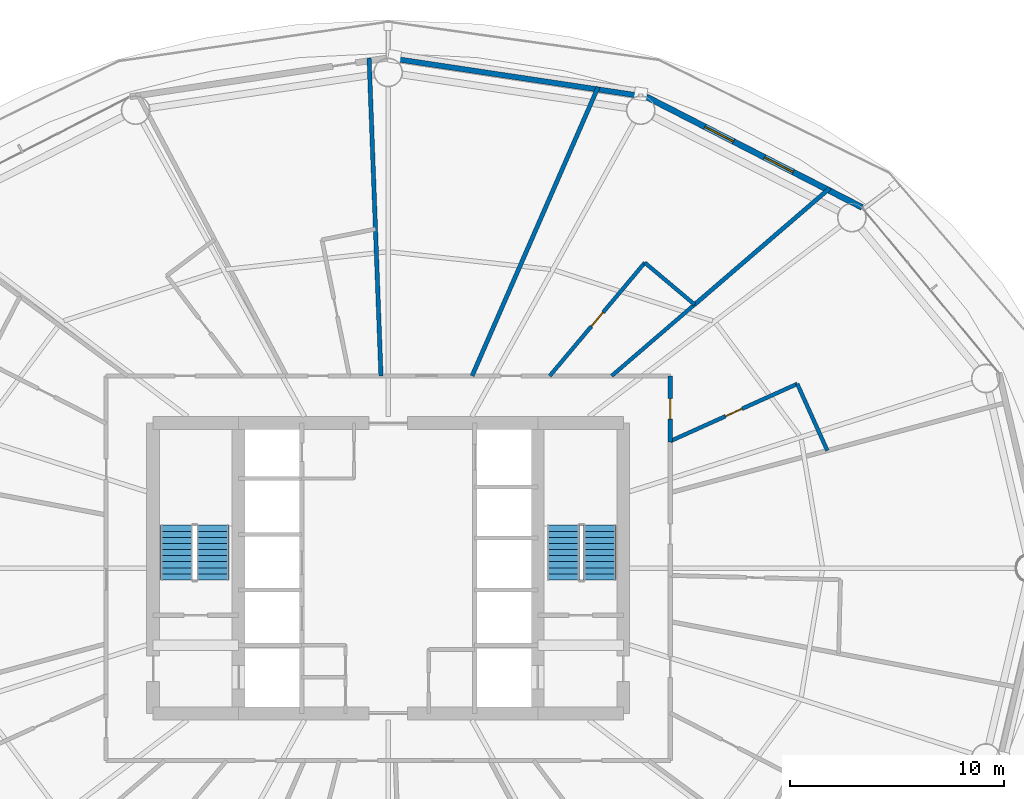
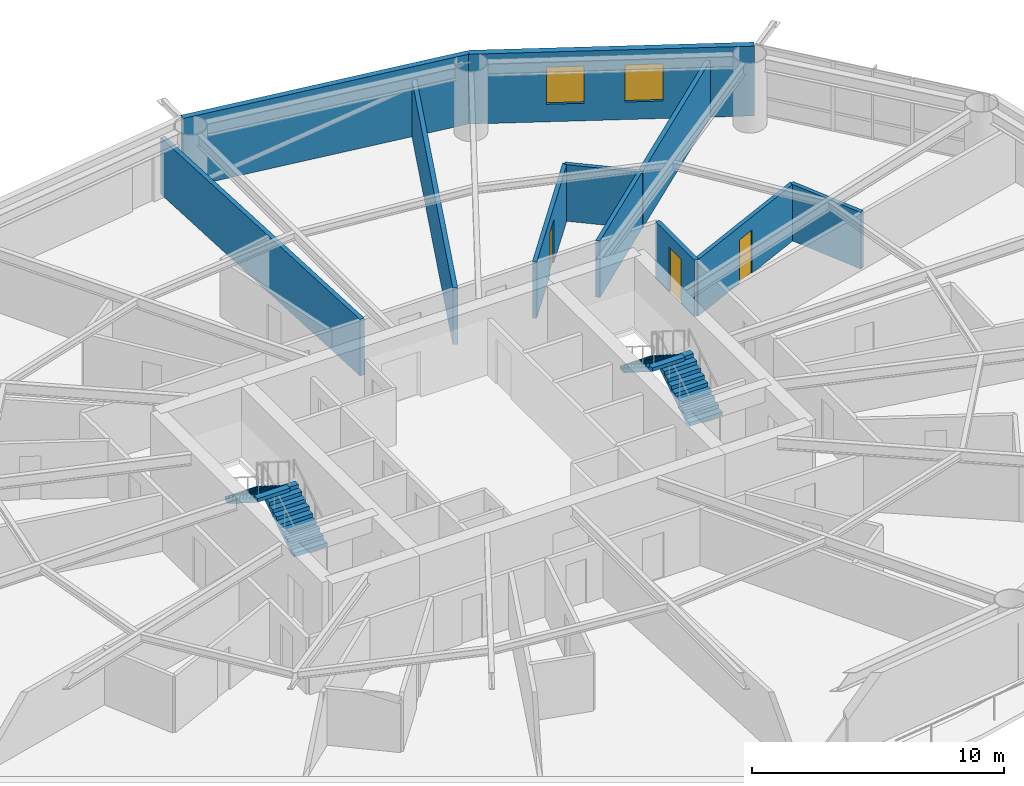
# One storey, part 23 of 26: 11 walls, 4 stair flights, 3 doors, 2 windows, 5 openings, 2 elements without a shape of their own.
"""IFC4 building model written with IfcOpenShell, lengths in metres."""

from ifc_helpers import new_model, si_unit, direction, frame, frame_2d, origin, place, context, subcontext, project, spatial, polyline, rectangle, outline, extrude, material, layer, layer_set, type_object, element, fill, aggregate, save


model = new_model("IFC4")

# Units and contexts
model_context = context("Model", 3, precision=1e-05, world=origin(), true_north=direction((0.0, 1.0)))
body_context = subcontext(model_context, "Body", "Model", "MODEL_VIEW")
ifc_project = project(units=[si_unit("LENGTHUNIT", "METRE"), si_unit("AREAUNIT", "SQUARE_METRE"), si_unit("VOLUMEUNIT", "CUBIC_METRE"), si_unit("PLANEANGLEUNIT", "RADIAN"), si_unit("MASSUNIT", "GRAM", prefix="KILO")], contexts=[model_context])

# Site, building, storey
site_placement = place(None, origin())
site = spatial("IfcSite", under=ifc_project, at=site_placement, CompositionType="ELEMENT")
building_placement = place(site_placement, origin())
building = spatial("IfcBuilding", under=site, at=building_placement, Name="Sarneth Arch Tower", CompositionType="ELEMENT")
storey_placement = place(building_placement, frame((0.0, 0.0, 42.60009765625)))
storey = spatial("IfcBuildingStorey", under=building, at=storey_placement, Name="L09", CompositionType="ELEMENT", Elevation=42.60009765625)

# Wall, opening, door
ifc_material_1 = material(Name="Double steel-stud corridor fire wall", Category="steel")
ifc_layer_1 = layer(ifc_material_1, 0.18994140625)
ifc_layer_set_1 = layer_set([ifc_layer_1], Name="Double steel-stud corridor fire wall")
wall_type_1 = type_object("IfcWallType", Name="WALL-CORR-190", PredefinedType="PARTITIONING", material=ifc_layer_set_1)
wall_1_placement = place(storey_placement, frame((61.199951171875, 51.0, 0.0), z_axis=(0.0, 0.0, 1.0), x_axis=(0.0, -1.0, 0.0)))
wall_1 = element("IfcWall", 1, at=wall_1_placement, inside=storey, type_object=wall_type_1, Name="L09 Interior partition W-L09-TP-002", PredefinedType="PARTITIONING", context=body_context, shape_type="SweptSolid", body=[
    extrude(rectangle(XDim=3.0869140625, YDim=0.18994140625, at=frame_2d((1.54345703125, 0.0))), origin(), (0.0, 0.0, 1.0), 2.739990234375),
])
opening_1_placement = place(wall_1_placement, frame((1.068603515625, 0.0, 0.0)))
opening_1 = element("IfcOpeningElement", 2, at=opening_1_placement, cuts=wall_1, Name="Opening FD-09", PredefinedType="OPENING", context=body_context, shape_type="SweptSolid", body=[
    extrude(rectangle(XDim=0.949951171875, YDim=2.14990234375, at=frame_2d((0.47509765625, 1.074951171875))), frame((0.0, 0.10498046875, 0.0), z_axis=(0.0, -1.0, 0.0), x_axis=(1.0, 0.0, 0.0)), (0.0, 0.0, 1.0), 0.2099609375),
])
ifc_material_2 = material(Name="Hardwood timber hotel entrance fire door", Category="wood")
door_type_1 = type_object("IfcDoorType", Name="DR-FD60-950", OperationType="SINGLE_SWING_RIGHT", PredefinedType="DOOR", material=ifc_material_2)
door_1_placement = place(opening_1_placement, origin())
door_1 = element("IfcDoor", 3, at=door_1_placement, inside=storey, type_object=door_type_1, Name="L09 Interior door DR-L09-KEY-01", OperationType="SINGLE_SWING_LEFT", OverallHeight=2.14990234375, OverallWidth=0.949951171875, PredefinedType="DOOR", context=body_context, shape_type="SweptSolid", body=[
    extrude(rectangle(XDim=0.949951171875, YDim=2.14990234375, at=frame_2d((0.47509765625, 1.074951171875))), frame((0.0, 0.02490234375, 0.0), z_axis=(0.0, -1.0, 0.0), x_axis=(1.0, 0.0, 0.0)), (0.0, 0.0, 1.0), 0.050048828125),
])
fill(opening_1, door_1)

# Wall
ifc_material_3 = material(Name="Extruded terracotta rainscreen on Concrete C40/50 backing", Category="masonry")
ifc_layer_2 = layer(ifc_material_3, 0.25)
ifc_layer_set_2 = layer_set([ifc_layer_2], Name="Extruded terracotta rainscreen on Concrete C40/50 backing")
wall_type_2 = type_object("IfcWallType", Name="WALL-EXT-SPAND-250", PredefinedType="SOLIDWALL", material=ifc_layer_set_2)
wall_2_placement = place(storey_placement, frame((60.077880859375, 64.062255859375, 0.0), z_axis=(0.0, 0.0, 1.0), x_axis=(-0.988864835849, 0.148816452121, 0.0)))
element("IfcWall", 4, at=wall_2_placement, inside=storey, type_object=wall_type_2, Name="L09 Terracotta perimeter wall 04", PredefinedType="SOLIDWALL", context=body_context, shape_type="SweptSolid", body=[
    extrude(rectangle(XDim=12.2138671875, YDim=0.25, at=frame_2d((6.10693359375, 0.0))), origin(), (0.0, 0.0, 1.0), 3.3798828125),
])

# Wall, openings, windows
ifc_material_4 = material(Name="Extruded terracotta rainscreen on Concrete C40/50 backing", Category="masonry")
ifc_layer_3 = layer(ifc_material_4, 0.280029296875)
ifc_layer_set_3 = layer_set([ifc_layer_3], Name="Extruded terracotta rainscreen on Concrete C40/50 backing")
wall_type_3 = type_object("IfcWallType", Name="WALL-EXT-TERRA-280", PredefinedType="SOLIDWALL", material=ifc_layer_set_3)
wall_3_placement = place(storey_placement, frame((70.174072265625, 58.8857421875, 0.0), z_axis=(0.0, 0.0, 1.0), x_axis=(-0.889853976658, 0.456245438581, 0.0)))
wall_3 = element("IfcWall", 5, at=wall_3_placement, inside=storey, type_object=wall_type_3, Name="L09 Terracotta perimeter wall 03", PredefinedType="SOLIDWALL", context=body_context, shape_type="SweptSolid", body=[
    extrude(rectangle(XDim=11.345947265625, YDim=0.280029296875, at=frame_2d((5.6728515625, 0.0))), origin(), (0.0, 0.0, 1.0), 3.3798828125),
])
opening_2_placement = place(wall_3_placement, frame((3.6318359375, 0.0, 0.85009765625)))
opening_2 = element("IfcOpeningElement", 6, at=opening_2_placement, cuts=wall_3, Name="Opening W-07", PredefinedType="OPENING", context=body_context, shape_type="SweptSolid", body=[
    extrude(rectangle(XDim=1.5, YDim=1.800048828125, at=frame_2d((0.75, 0.89990234375))), frame((0.0, 0.14990234375, 0.0), z_axis=(0.0, -1.0, 0.0), x_axis=(1.0, 0.0, 0.0)), (0.0, 0.0, 1.0), 0.300048828125),
])
opening_3_placement = place(wall_3_placement, frame((6.76123046875, 0.0, 0.85009765625)))
opening_3 = element("IfcOpeningElement", 7, at=opening_3_placement, cuts=wall_3, Name="Opening W-07", PredefinedType="OPENING", context=body_context, shape_type="SweptSolid", body=[
    extrude(rectangle(XDim=1.5, YDim=1.800048828125, at=frame_2d((0.75, 0.89990234375))), frame((0.0, 0.14990234375, 0.0), z_axis=(0.0, -1.0, 0.0), x_axis=(1.0, 0.0, 0.0)), (0.0, 0.0, 1.0), 0.300048828125),
])
ifc_material_5 = material(Name="Thermally broken Aluminium 6063-T6 and low-e laminated IGU", Category="aluminium")
window_type = type_object("IfcWindowType", Name="WIN-TWR-1500x1800", PartitioningType="SINGLE_PANEL", PredefinedType="WINDOW", material=ifc_material_5)
window_1_placement = place(opening_2_placement, origin())
window_1 = element("IfcWindow", 8, at=window_1_placement, inside=storey, type_object=window_type, Name="L09 Exterior window 03A", OverallHeight=1.800048828125, OverallWidth=1.5, PartitioningType="SINGLE_PANEL", PredefinedType="WINDOW", context=body_context, shape_type="SweptSolid", body=[
    extrude(rectangle(XDim=1.5, YDim=1.800048828125, at=frame_2d((0.75, 0.89990234375))), frame((0.0, 0.030029296875, 0.0), z_axis=(0.0, -1.0, 0.0), x_axis=(1.0, 0.0, 0.0)), (0.0, 0.0, 1.0), 0.06005859375),
])
fill(opening_2, window_1)
window_2_placement = place(opening_3_placement, origin())
window_2 = element("IfcWindow", 9, at=window_2_placement, inside=storey, type_object=window_type, Name="L09 Exterior window 03B", OverallHeight=1.800048828125, OverallWidth=1.5, PartitioningType="SINGLE_PANEL", PredefinedType="WINDOW", context=body_context, shape_type="SweptSolid", body=[
    extrude(rectangle(XDim=1.5, YDim=1.800048828125, at=frame_2d((0.75, 0.89990234375))), frame((0.0, 0.030029296875, 0.0), z_axis=(0.0, -1.0, 0.0), x_axis=(1.0, 0.0, 0.0)), (0.0, 0.0, 1.0), 0.06005859375),
])
fill(opening_3, window_2)

# Wall, opening, door
ifc_material_6 = material(Name="Moisture-resistant plumbing chase wall", Category="gypsum")
ifc_layer_4 = layer(ifc_material_6, 0.179931640625)
ifc_layer_set_4 = layer_set([ifc_layer_4], Name="Moisture-resistant plumbing chase wall")
wall_type_4 = type_object("IfcWallType", Name="WALL-PLUMB-180", PredefinedType="PLUMBINGWALL", material=ifc_layer_set_4)
wall_4_placement = place(storey_placement, frame((55.5595703125, 51.0, 0.0), z_axis=(0.0, 0.0, 1.0), x_axis=(0.643154836645, 0.765736153058, 0.0)))
wall_4 = element("IfcWall", 10, at=wall_4_placement, inside=storey, type_object=wall_type_4, Name="L09 Interior partition W-L09-TP-036", PredefinedType="PLUMBINGWALL", context=body_context, shape_type="SweptSolid", body=[
    extrude(rectangle(XDim=6.9169921875, YDim=0.179931640625, at=frame_2d((3.45849609375, 0.0))), origin(), (0.0, 0.0, 1.0), 2.739990234375),
])
opening_4_placement = place(wall_4_placement, frame((3.03369140625, 0.0, 0.0)))
opening_4 = element("IfcOpeningElement", 11, at=opening_4_placement, cuts=wall_4, Name="Opening ID-02", PredefinedType="OPENING", context=body_context, shape_type="SweptSolid", body=[
    extrude(rectangle(XDim=0.85009765625, YDim=2.10009765625, at=frame_2d((0.425048828125, 1.050048828125))), frame((0.0, 0.099853515625, 0.0), z_axis=(0.0, -1.0, 0.0), x_axis=(1.0, 0.0, 0.0)), (0.0, 0.0, 1.0), 0.199951171875),
])
ifc_material_7 = material(Name="Moisture-resistant bathroom timber door", Category="wood")
door_type_2 = type_object("IfcDoorType", Name="DR-INT-850", OperationType="SINGLE_SWING_RIGHT", PredefinedType="DOOR", material=ifc_material_7)
door_2_placement = place(opening_4_placement, origin())
door_2 = element("IfcDoor", 12, at=door_2_placement, inside=storey, type_object=door_type_2, Name="L09 Interior door DR-L09-ENS-02", OperationType="SINGLE_SWING_RIGHT", OverallHeight=2.10009765625, OverallWidth=0.85009765625, PredefinedType="DOOR", context=body_context, shape_type="SweptSolid", body=[
    extrude(rectangle(XDim=0.85009765625, YDim=2.10009765625, at=frame_2d((0.425048828125, 1.050048828125))), frame((0.0, 0.02490234375, 0.0), z_axis=(0.0, -1.0, 0.0), x_axis=(1.0, 0.0, 0.0)), (0.0, 0.0, 1.0), 0.050048828125),
])
fill(opening_4, door_2)

wall_5_placement = place(storey_placement, frame((67.14306640625, 50.626220703125, 0.0), z_axis=(0.0, 0.0, 1.0), x_axis=(-0.911702033518, -0.410852044025, 0.0)))
wall_5 = element("IfcWall", 13, at=wall_5_placement, inside=storey, type_object=wall_type_4, Name="L09 Interior partition W-L09-TP-031", PredefinedType="PLUMBINGWALL", context=body_context, shape_type="SweptSolid", body=[
    extrude(rectangle(XDim=6.518798828125, YDim=0.179931640625, at=frame_2d((3.25927734375, 0.0))), origin(), (0.0, 0.0, 1.0), 2.739990234375),
])
opening_5_placement = place(wall_5_placement, frame((2.834228515625, 0.0, 0.0)))
opening_5 = element("IfcOpeningElement", 14, at=opening_5_placement, cuts=wall_5, Name="Opening ID-02", PredefinedType="OPENING", context=body_context, shape_type="SweptSolid", body=[
    extrude(rectangle(XDim=0.85009765625, YDim=2.10009765625, at=frame_2d((0.425048828125, 1.050048828125))), frame((0.0, 0.099853515625, 0.0), z_axis=(0.0, -1.0, 0.0), x_axis=(1.0, 0.0, 0.0)), (0.0, 0.0, 1.0), 0.199951171875),
])
door_3_placement = place(opening_5_placement, origin())
door_3 = element("IfcDoor", 15, at=door_3_placement, inside=storey, type_object=door_type_2, Name="L09 Interior door DR-L09-ENS-01", OperationType="SINGLE_SWING_RIGHT", OverallHeight=2.10009765625, OverallWidth=0.85009765625, PredefinedType="DOOR", context=body_context, shape_type="SweptSolid", body=[
    extrude(rectangle(XDim=0.85009765625, YDim=2.10009765625, at=frame_2d((0.425048828125, 1.050048828125))), frame((0.0, 0.02490234375, 0.0), z_axis=(0.0, -1.0, 0.0), x_axis=(1.0, 0.0, 0.0)), (0.0, 0.0, 1.0), 0.050048828125),
])
fill(opening_5, door_3)

# Walls
wall_6_placement = place(storey_placement, frame((62.338623046875, 54.33935546875, 0.0), z_axis=(0.0, 0.0, 1.0), x_axis=(-0.757969199921, -0.652290343307, 0.0)))
element("IfcWall", 16, at=wall_6_placement, inside=storey, type_object=wall_type_4, Name="L09 Interior partition W-L09-TP-033", PredefinedType="PLUMBINGWALL", context=body_context, shape_type="SweptSolid", body=[
    extrude(rectangle(XDim=5.119384765625, YDim=0.179931640625, at=frame_2d((2.5595703125, 0.0))), origin(), (0.0, 0.0, 1.0), 2.739990234375),
])
wall_7_placement = place(storey_placement, frame((68.549072265625, 47.506103515625, 0.0), z_axis=(0.0, 0.0, 1.0), x_axis=(-0.410839223928, 0.911707810695, 0.0)))
element("IfcWall", 17, at=wall_7_placement, inside=storey, type_object=wall_type_4, Name="L09 Interior partition W-L09-TP-030", PredefinedType="PLUMBINGWALL", context=body_context, shape_type="SweptSolid", body=[
    extrude(rectangle(XDim=3.42236328125, YDim=0.179931640625, at=frame_2d((1.711181640625, 0.0))), origin(), (0.0, 0.0, 1.0), 2.739990234375),
])
wall_8_placement = place(storey_placement, frame((60.00830078125, 56.296630859375, 0.0), z_axis=(0.0, 0.0, 1.0), x_axis=(0.765736471754, -0.643154457208, 0.0)))
element("IfcWall", 18, at=wall_8_placement, inside=storey, type_object=wall_type_4, Name="L09 Interior partition W-L09-TP-037", PredefinedType="PLUMBINGWALL", context=body_context, shape_type="SweptSolid", body=[
    extrude(rectangle(XDim=3.043212890625, YDim=0.179931640625, at=frame_2d((1.521484375, 0.0))), origin(), (0.0, 0.0, 1.0), 2.739990234375),
])
ifc_material_8 = material(Name="Double steel-stud acoustic drywall", Category="steel")
ifc_layer_5 = layer(ifc_material_8, 0.199951171875)
ifc_layer_set_5 = layer_set([ifc_layer_5], Name="Double steel-stud acoustic drywall")
wall_type_5 = type_object("IfcWallType", Name="WALL-UNIT-200", PredefinedType="PARTITIONING", material=ifc_layer_set_5)
wall_9_placement = place(storey_placement, frame((57.82470703125, 64.5185546875, 0.0), z_axis=(0.0, 0.0, 1.0), x_axis=(-0.399884283786, -0.916565632991, 0.0)))
element("IfcWall", 19, at=wall_9_placement, inside=storey, type_object=wall_type_5, Name="L09 Interior partition W-L09-TP-038", PredefinedType="PARTITIONING", context=body_context, shape_type="SweptSolid", body=[
    extrude(rectangle(XDim=14.7490234375, YDim=0.199951171875, at=frame_2d((7.37451171875, 0.0))), origin(), (0.0, 0.0, 1.0), 2.739990234375),
])
wall_10_placement = place(storey_placement, frame((68.66552734375, 59.7841796875, 0.0), z_axis=(0.0, 0.0, 1.0), x_axis=(-0.757966817992, -0.652293111127, 0.0)))
element("IfcWall", 20, at=wall_10_placement, inside=storey, type_object=wall_type_5, Name="L09 Interior partition W-L09-TP-032", PredefinedType="PARTITIONING", context=body_context, shape_type="SweptSolid", body=[
    extrude(rectangle(XDim=8.34716796875, YDim=0.199951171875, at=frame_2d((4.173583984375, 0.0))), origin(), (0.0, 0.0, 1.0), 2.739990234375),
])
wall_11_placement = place(storey_placement, frame((47.6630859375, 51.0, 0.0), z_axis=(0.0, 0.0, 1.0), x_axis=(-0.037384345878, 0.999300961014, 0.0)))
element("IfcWall", 21, at=wall_11_placement, inside=storey, type_object=wall_type_5, Name="L09 Interior partition W-L09-TP-039", PredefinedType="PARTITIONING", context=body_context, shape_type="SweptSolid", body=[
    extrude(rectangle(XDim=14.876708984375, YDim=0.199951171875, at=frame_2d((7.4384765625, 0.0))), origin(), (0.0, 0.0, 1.0), 2.739990234375),
])

# Stair, stair flights
ifc_material_9 = material(Name="Concrete C50/60", Category="concrete")
stair_type = type_object("IfcStairType", Name="STAIR-CORE-RC", PredefinedType="HALF_TURN_STAIR", material=ifc_material_9)
stair_1_placement = place(storey_placement, origin())
stair_1 = element("IfcStair", 22, at=stair_1_placement, inside=storey, type_object=stair_type, Name="L09 Core Exit Stair 1", PredefinedType="HALF_TURN_STAIR")
ifc_material_10 = material(Name="Concrete C50/60", Category="concrete")
stair_flight_type = type_object("IfcStairFlightType", Name="FLIGHT-RC-1500", PredefinedType="STRAIGHT", material=ifc_material_10)
stair_flight_1_placement = place(storey_placement, frame((39.800048828125, 41.449951171875, 0.0), z_axis=(0.0, 0.0, 1.0), x_axis=(0.0, 1.0, 0.0)))
stair_flight_1 = element("IfcStairFlight", 23, at=stair_flight_1_placement, type_object=stair_flight_type, Name="ST-1 flight 1", NumberOfRisers=10, NumberOfTreads=9, PredefinedType="STRAIGHT", RiserHeight=0.18, TreadLength=0.285, context=body_context, shape_type="SweptSolid", body=[
    extrude(outline(polyline([(0.0, 0.0), (0.0, 0.179931640625), (0.284912109375, 0.179931640625), (0.284912109375, 0.360107421875), (0.570068359375, 0.360107421875), (0.570068359375, 0.5400390625), (0.85498046875, 0.5400390625), (0.85498046875, 0.719970703125), (1.139892578125, 0.719970703125), (1.139892578125, 0.89990234375), (1.425048828125, 0.89990234375), (1.425048828125, 1.080078125), (1.7099609375, 1.080078125), (1.7099609375, 1.260009765625), (1.9951171875, 1.260009765625), (1.9951171875, 1.43994140625), (2.280029296875, 1.43994140625), (2.280029296875, 1.6201171875), (2.56494140625, 1.6201171875), (2.56494140625, 1.800048828125), (2.56494140625, 1.442626953125), (0.28076171875, 0.0), (0.0, 0.0)])), frame((0.0, 0.75, 0.0), z_axis=(0.0, -1.0, 0.0), x_axis=(1.0, 0.0, 0.0)), (0.0, 0.0, 1.0), 1.5),
])
stair_flight_2_placement = place(storey_placement, frame((38.10009765625, 44.014892578125, 1.7998046875), z_axis=(0.0, 0.0, 1.0), x_axis=(0.0, -1.0, 0.0)))
stair_flight_2 = element("IfcStairFlight", 24, at=stair_flight_2_placement, type_object=stair_flight_type, Name="ST-1 flight 2", NumberOfRisers=10, NumberOfTreads=9, PredefinedType="STRAIGHT", RiserHeight=0.18, TreadLength=0.285, context=body_context, shape_type="SweptSolid", body=[
    extrude(outline(polyline([(0.0, 0.0), (0.0, 0.179931640625), (0.284912109375, 0.179931640625), (0.284912109375, 0.360107421875), (0.570068359375, 0.360107421875), (0.570068359375, 0.5400390625), (0.85498046875, 0.5400390625), (0.85498046875, 0.719970703125), (1.139892578125, 0.719970703125), (1.139892578125, 0.89990234375), (1.425048828125, 0.89990234375), (1.425048828125, 1.080078125), (1.7099609375, 1.080078125), (1.7099609375, 1.260009765625), (1.9951171875, 1.260009765625), (1.9951171875, 1.43994140625), (2.280029296875, 1.43994140625), (2.280029296875, 1.6201171875), (2.56494140625, 1.6201171875), (2.56494140625, 1.800048828125), (2.56494140625, 1.442626953125), (0.28076171875, 0.0), (0.0, 0.0)])), frame((0.0, 0.75, 0.0), z_axis=(0.0, -1.0, 0.0), x_axis=(1.0, 0.0, 0.0)), (0.0, 0.0, 1.0), 1.5),
])
aggregate(stair_1, [stair_flight_1, stair_flight_2])

stair_2_placement = place(storey_placement, origin())
stair_2 = element("IfcStair", 25, at=stair_2_placement, inside=storey, type_object=stair_type, Name="L09 Core Exit Stair 2", PredefinedType="HALF_TURN_STAIR")
stair_flight_3_placement = place(storey_placement, frame((57.89990234375, 41.449951171875, 0.0), z_axis=(0.0, 0.0, 1.0), x_axis=(0.0, 1.0, 0.0)))
stair_flight_3 = element("IfcStairFlight", 26, at=stair_flight_3_placement, type_object=stair_flight_type, Name="ST-2 flight 1", NumberOfRisers=10, NumberOfTreads=9, PredefinedType="STRAIGHT", RiserHeight=0.18, TreadLength=0.285, context=body_context, shape_type="SweptSolid", body=[
    extrude(outline(polyline([(0.0, 0.0), (0.0, 0.179931640625), (0.284912109375, 0.179931640625), (0.284912109375, 0.360107421875), (0.570068359375, 0.360107421875), (0.570068359375, 0.5400390625), (0.85498046875, 0.5400390625), (0.85498046875, 0.719970703125), (1.139892578125, 0.719970703125), (1.139892578125, 0.89990234375), (1.425048828125, 0.89990234375), (1.425048828125, 1.080078125), (1.7099609375, 1.080078125), (1.7099609375, 1.260009765625), (1.9951171875, 1.260009765625), (1.9951171875, 1.43994140625), (2.280029296875, 1.43994140625), (2.280029296875, 1.6201171875), (2.56494140625, 1.6201171875), (2.56494140625, 1.800048828125), (2.56494140625, 1.442626953125), (0.28076171875, 0.0), (0.0, 0.0)])), frame((0.0, 0.75, 0.0), z_axis=(0.0, -1.0, 0.0), x_axis=(1.0, 0.0, 0.0)), (0.0, 0.0, 1.0), 1.5),
])
stair_flight_4_placement = place(storey_placement, frame((56.199951171875, 44.014892578125, 1.7998046875), z_axis=(0.0, 0.0, 1.0), x_axis=(0.0, -1.0, 0.0)))
stair_flight_4 = element("IfcStairFlight", 27, at=stair_flight_4_placement, type_object=stair_flight_type, Name="ST-2 flight 2", NumberOfRisers=10, NumberOfTreads=9, PredefinedType="STRAIGHT", RiserHeight=0.18, TreadLength=0.285, context=body_context, shape_type="SweptSolid", body=[
    extrude(outline(polyline([(0.0, 0.0), (0.0, 0.179931640625), (0.284912109375, 0.179931640625), (0.284912109375, 0.360107421875), (0.570068359375, 0.360107421875), (0.570068359375, 0.5400390625), (0.85498046875, 0.5400390625), (0.85498046875, 0.719970703125), (1.139892578125, 0.719970703125), (1.139892578125, 0.89990234375), (1.425048828125, 0.89990234375), (1.425048828125, 1.080078125), (1.7099609375, 1.080078125), (1.7099609375, 1.260009765625), (1.9951171875, 1.260009765625), (1.9951171875, 1.43994140625), (2.280029296875, 1.43994140625), (2.280029296875, 1.6201171875), (2.56494140625, 1.6201171875), (2.56494140625, 1.800048828125), (2.56494140625, 1.442626953125), (0.28076171875, 0.0), (0.0, 0.0)])), frame((0.0, 0.75, 0.0), z_axis=(0.0, -1.0, 0.0), x_axis=(1.0, 0.0, 0.0)), (0.0, 0.0, 1.0), 1.5),
])
aggregate(stair_2, [stair_flight_3, stair_flight_4])

save(model, "model.ifc")
